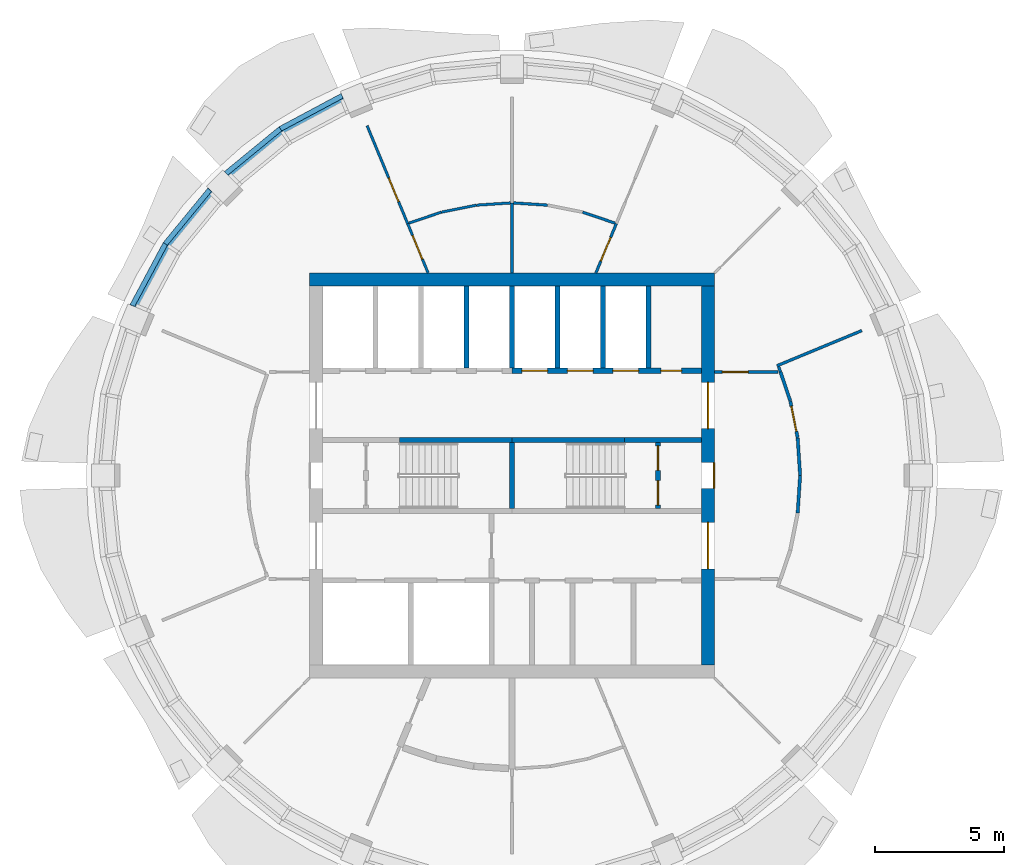
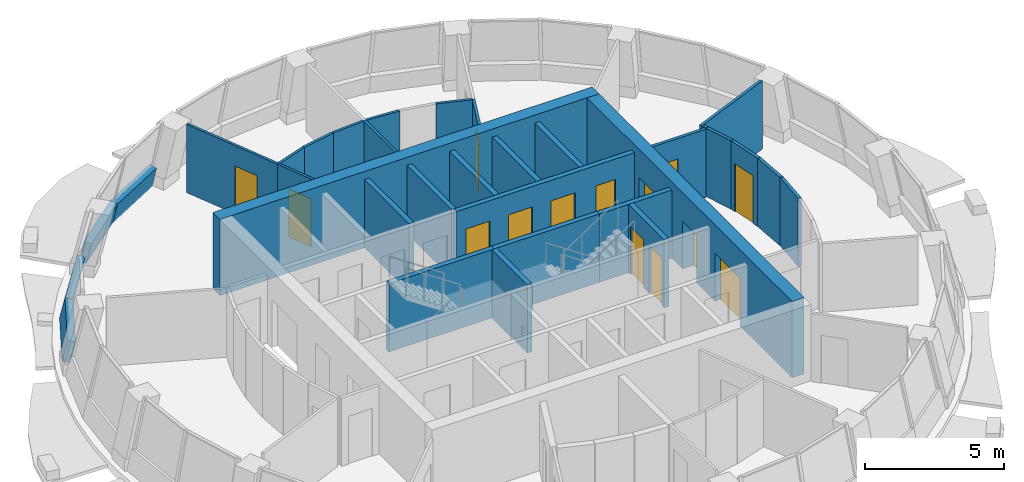
# One storey, part 6 of 11: 33 walls, 14 doors, 14 openings.
"""IFC4 building model written with IfcOpenShell, lengths in metres."""

import ifcopenshell
import ifcopenshell.guid

model = None  # the IFC model being written
_history = None  # IfcOwnerHistory: only IFC2X3 demands one
_inside = {}  # id of a spatial element -> (the spatial element, [elements in it])
_under = {}  # id of a project, library or spatial element -> (it, [spatial elements below it])
_declared = {}  # id of a project -> (the project, [libraries it declares])
_typed = {}  # id of a type object -> (the type object, [elements of that type])
_made_of = {}  # id of a material, layer set ... -> (it, [elements and type objects made of it])


def new_model(schema):
    """Start an empty IFC model of exactly this schema.

    Asked for "IFC4X3", IfcOpenShell would pick the latest addendum, in which some entities
    have other attributes; the version numbers below select the first issue.
    IFC2X3 requires an IfcOwnerHistory on every rooted entity: one is made here for all.
    """
    global model, _history
    if schema == "IFC4X3":
        model = ifcopenshell.file(schema_version=(4, 3, 0, 0))
    else:
        model = ifcopenshell.file(schema=schema)
    _inside.clear()
    _under.clear()
    _declared.clear()
    _typed.clear()
    _made_of.clear()
    _history = None
    if model.schema == "IFC2X3":
        org = make("IfcOrganization", Name="unknown")
        user = make(
            "IfcPersonAndOrganization",
            ThePerson=make("IfcPerson", FamilyName="unknown"),
            TheOrganization=org,
        )
        app = make(
            "IfcApplication",
            ApplicationDeveloper=org,
            Version="unknown",
            ApplicationFullName="unknown",
            ApplicationIdentifier="unknown",
        )
        _history = make(
            "IfcOwnerHistory",
            OwningUser=user,
            OwningApplication=app,
            ChangeAction="ADDED",
            CreationDate=0,
        )
    return model


def make(cls, **values):
    """One entity of the class cls with the attributes given. An attribute that is None is left unset."""
    return model.create_entity(
        cls, **{name: value for name, value in values.items() if value is not None}
    )


def rooted(cls, **values):
    """An entity with a GlobalId (a new one), such as an element, a storey or a relation."""
    return make(cls, GlobalId=ifcopenshell.guid.new(), OwnerHistory=_history, **values)


def si_unit(unit_type, name, prefix=None):
    """IfcSIUnit, for example si_unit("LENGTHUNIT", "METRE", prefix="MILLI")."""
    return make("IfcSIUnit", UnitType=unit_type, Prefix=prefix, Name=name)


def assignment(units):
    """IfcUnitAssignment: the units of a project."""
    return None if units is None else make("IfcUnitAssignment", Units=units)


def point(xyz):
    """IfcCartesianPoint."""
    return None if xyz is None else make("IfcCartesianPoint", Coordinates=xyz)


def direction(xyz):
    """IfcDirection."""
    return None if xyz is None else make("IfcDirection", DirectionRatios=xyz)


def frame(location, z_axis=None, x_axis=None):
    """IfcAxis2Placement3D, a coordinate frame: its origin and axes. An axis left out is left unset."""
    return make(
        "IfcAxis2Placement3D",
        Location=point(location),
        Axis=direction(z_axis),
        RefDirection=direction(x_axis),
    )


def frame_2d(location, x_axis=None):
    """IfcAxis2Placement2D, a coordinate frame in the plane: its origin and x axis."""
    return make(
        "IfcAxis2Placement2D", Location=point(location), RefDirection=direction(x_axis)
    )


def origin():
    """The frame at (0, 0, 0) with its axes left unset."""
    return frame((0.0, 0.0, 0.0))


def place(relative_to, where):
    """IfcLocalPlacement: puts the frame where relative to a parent placement (None: the world)."""
    return make(
        "IfcLocalPlacement", PlacementRelTo=relative_to, RelativePlacement=where
    )


def context(
    kind, dimensions, precision=None, world=None, true_north=None, identifier=None
):
    """IfcGeometricRepresentationContext, for example the 3D "Model" context."""
    return make(
        "IfcGeometricRepresentationContext",
        ContextIdentifier=identifier,
        ContextType=kind,
        CoordinateSpaceDimension=dimensions,
        Precision=precision,
        WorldCoordinateSystem=world,
        TrueNorth=true_north,
    )


def subcontext(parent, identifier, kind, view, scale=None):
    """IfcGeometricRepresentationSubContext, for example "Body" below "Model"."""
    return make(
        "IfcGeometricRepresentationSubContext",
        ContextIdentifier=identifier,
        ContextType=kind,
        ParentContext=parent,
        TargetScale=scale,
        TargetView=view,
    )


def project(units=None, contexts=None):
    """IfcProject with its units and contexts."""
    return rooted(
        "IfcProject",
        Name="project",
        RepresentationContexts=contexts,
        UnitsInContext=assignment(units),
    )


def spatial(cls, under=None, at=None, **own):
    """A site, building, storey or space (cls), placed at a placement, below another one or the project."""
    s = rooted(cls, ObjectPlacement=at, **own)
    if under is not None:
        _under.setdefault(under.id(), (under, []))[1].append(s)
    return s


def polyline(points):
    """IfcPolyline through the points."""
    return make("IfcPolyline", Points=[point(p) for p in points])


def profile(cls, at=None, kind="AREA", **sizes):
    """A parametric profile (cls). Its sizes go by their IFC names, for example OverallWidth=200.0."""
    return make(cls, ProfileType=kind, Position=at, **sizes)


def rectangle(**sizes):
    """IfcRectangleProfileDef."""
    return profile("IfcRectangleProfileDef", **sizes)


def outline(outer, holes=None, kind="AREA"):
    """IfcArbitraryClosedProfileDef: a profile drawn as a closed curve; with holes, ...WithVoids."""
    if holes is None:
        return make("IfcArbitraryClosedProfileDef", ProfileType=kind, OuterCurve=outer)
    return make(
        "IfcArbitraryProfileDefWithVoids",
        ProfileType=kind,
        OuterCurve=outer,
        InnerCurves=holes,
    )


def extrude(swept, where, along, depth):
    """IfcExtrudedAreaSolid: the profile swept, set in the frame where, extruded along a direction by depth."""
    return make(
        "IfcExtrudedAreaSolid",
        SweptArea=swept,
        Position=where,
        ExtrudedDirection=direction(along),
        Depth=depth,
    )


def shape(context_of_items, identifier, shape_type, items):
    """IfcShapeRepresentation: the items that make up one representation, for example the "Body"."""
    return make(
        "IfcShapeRepresentation",
        ContextOfItems=context_of_items,
        RepresentationIdentifier=identifier,
        RepresentationType=shape_type,
        Items=items,
    )


def material(Name=None, Category=None):
    """IfcMaterial."""
    return make("IfcMaterial", Name=Name, Category=Category)


def layer(
    of_material, thickness, ventilated=None, Name=None, Category=None, Priority=None
):
    """IfcMaterialLayer: one layer of a wall or slab, of a material (None: an air gap)."""
    return make(
        "IfcMaterialLayer",
        Material=of_material,
        LayerThickness=thickness,
        IsVentilated=ventilated,
        Name=Name,
        Category=Category,
        Priority=Priority,
    )


def layer_set(layers, Name=None):
    """IfcMaterialLayerSet."""
    return make("IfcMaterialLayerSet", MaterialLayers=layers, LayerSetName=Name)


def made_of(thing, what):
    """Note that an element or type object is made of a material, layer set ...; save() writes the relation."""
    if what is not None:
        _made_of.setdefault(what.id(), (what, []))[1].append(thing)
    return thing


def type_object(cls, material=None, **own):
    """A type object (cls), such as IfcWallType, which elements share."""
    return made_of(rooted(cls, **own), material)


def element(
    cls,
    number,
    at=None,
    inside=None,
    cuts=None,
    type_object=None,
    material=None,
    context=None,
    identifier="Body",
    shape_type=None,
    held_by="IfcProductDefinitionShape",
    body=None,
    shapes=None,
    **own,
):
    """One element of the class cls, such as IfcWall. Its Tag is "e" and its number.

    at: its placement. inside: the storey or other place that contains it. cuts: it is an
    opening in that element (IfcRelVoidsElement). A single representation is given by context,
    identifier, shape_type and body (its items); several are given by shapes. held_by: the class
    of the entity that holds the representations. save() writes the other relations.
    """
    e = rooted(cls, Tag="e%d" % number, ObjectPlacement=at, **own)
    if body is not None:
        shapes = [shape(context, identifier, shape_type, body)]
    if shapes is not None:
        e.Representation = make(held_by, Representations=shapes)
    if inside is not None:
        _inside.setdefault(inside.id(), (inside, []))[1].append(e)
    if cuts is not None:
        rooted(
            "IfcRelVoidsElement", RelatingBuildingElement=cuts, RelatedOpeningElement=e
        )
    if type_object is not None:
        _typed.setdefault(type_object.id(), (type_object, []))[1].append(e)
    return made_of(e, material)


def fill(opening, filler):
    """IfcRelFillsElement: the door or window that sits in an opening."""
    return rooted(
        "IfcRelFillsElement",
        RelatingOpeningElement=opening,
        RelatedBuildingElement=filler,
    )


def aggregate(whole, parts):
    """IfcRelAggregates: a whole, such as a stair, and the parts it consists of."""
    return rooted("IfcRelAggregates", RelatingObject=whole, RelatedObjects=parts)


def save(model, path):
    """Write the relations noted so far, then the file.

    IfcRelAggregates (storeys below a building ...), IfcRelContainedInSpatialStructure (elements
    in a storey), IfcRelDefinesByType, IfcRelAssociatesMaterial and IfcRelDeclares: one each for
    every whole, place, type object, material and project.
    """
    for whole, parts in _under.values():
        aggregate(whole, parts)
    for where, things in _inside.values():
        rooted(
            "IfcRelContainedInSpatialStructure",
            RelatedElements=things,
            RelatingStructure=where,
        )
    for kind, things in _typed.values():
        rooted("IfcRelDefinesByType", RelatedObjects=things, RelatingType=kind)
    for what, things in _made_of.values():
        rooted("IfcRelAssociatesMaterial", RelatedObjects=things, RelatingMaterial=what)
    for by, libraries in _declared.values():
        rooted("IfcRelDeclares", RelatingContext=by, RelatedDefinitions=libraries)
    model.write(path)


model = new_model("IFC4")

# Units and contexts
model_context = context("Model", 3, precision=1e-05, world=origin(), true_north=direction((0.0, 1.0)))
body_context = subcontext(model_context, "Body", "Model", "MODEL_VIEW")
ifc_project = project(units=[si_unit("LENGTHUNIT", "METRE"), si_unit("AREAUNIT", "SQUARE_METRE"), si_unit("VOLUMEUNIT", "CUBIC_METRE"), si_unit("PLANEANGLEUNIT", "RADIAN"), si_unit("MASSUNIT", "GRAM", prefix="KILO")], contexts=[model_context])

# Site, building, storey
site_placement = place(None, origin())
site = spatial("IfcSite", under=ifc_project, at=site_placement, CompositionType="ELEMENT")
building_placement = place(site_placement, origin())
building = spatial("IfcBuilding", under=site, at=building_placement, Name="Polderwave Tower", CompositionType="ELEMENT")
storey_placement = place(building_placement, frame((0.0, 0.0, 214.449951171875)))
storey = spatial("IfcBuildingStorey", under=building, at=storey_placement, Name="L58", CompositionType="ELEMENT", Elevation=214.449951171875)

# Wall
ifc_material_1 = material(Name="Concrete C60/75", Category="concrete")
ifc_layer_1 = layer(ifc_material_1, 0.5)
ifc_layer_set_1 = layer_set([ifc_layer_1], Name="CORE WALL 500 C60/75")
wall_type_1 = type_object("IfcWallType", Name="CORE WALL 500 C60/75", PredefinedType="SHEAR", material=ifc_layer_set_1)
wall_1_placement = place(storey_placement, frame((-7.8740234375, 7.6240234375, 0.0), z_axis=(0.0, 0.0, 1.0), x_axis=(1.0, 0.0, 0.0)))
element("IfcWall", 1, at=wall_1_placement, inside=storey, type_object=wall_type_1, Name="ST-CORE-L58-N", PredefinedType="SHEAR", context=body_context, shape_type="SweptSolid", body=[
    extrude(rectangle(XDim=15.748046875, YDim=0.5, at=frame_2d((7.8740234375, 0.0))), origin(), (0.0, 0.0, 1.0), 3.35009765625),
])

# Wall, openings, doors
wall_2_placement = place(storey_placement, frame((7.6240234375, -7.3740234375, 0.0), z_axis=(0.0, 0.0, 1.0), x_axis=(0.0, 1.0, 0.0)))
wall_2 = element("IfcWall", 2, at=wall_2_placement, inside=storey, type_object=wall_type_1, Name="ST-CORE-L58-E", PredefinedType="SHEAR", context=body_context, shape_type="SweptSolid", body=[
    extrude(rectangle(XDim=14.748046875, YDim=0.5, at=frame_2d((7.3740234375, 0.0))), origin(), (0.0, 0.0, 1.0), 3.35009765625),
])
opening_1_placement = place(wall_2_placement, frame((6.8740234375, 0.0, 0.0)))
opening_1 = element("IfcOpeningElement", 3, at=opening_1_placement, cuts=wall_2, Name="Opening L58-D23", PredefinedType="OPENING", context=body_context, shape_type="SweptSolid", body=[
    extrude(rectangle(XDim=1.0, YDim=2.10009765625, at=frame_2d((0.5, 1.050048828125))), frame((0.0, 0.260009765625, 0.0), z_axis=(0.0, -1.0, 0.0), x_axis=(1.0, 0.0, 0.0)), (0.0, 0.0, 1.0), 0.52001953125),
])
opening_2_placement = place(wall_2_placement, frame((3.74951171875, 0.0, 0.0)))
opening_2 = element("IfcOpeningElement", 4, at=opening_2_placement, cuts=wall_2, Name="Opening L58-D24", PredefinedType="OPENING", context=body_context, shape_type="SweptSolid", body=[
    extrude(rectangle(XDim=1.800048828125, YDim=2.10009765625, at=frame_2d((0.89990234375, 1.050048828125))), frame((0.0, 0.260009765625, 0.0), z_axis=(0.0, -1.0, 0.0), x_axis=(1.0, 0.0, 0.0)), (0.0, 0.0, 1.0), 0.52001953125),
])
opening_3_placement = place(wall_2_placement, frame((9.198486328125, 0.0, 0.0)))
opening_3 = element("IfcOpeningElement", 5, at=opening_3_placement, cuts=wall_2, Name="Opening L58-D25", PredefinedType="OPENING", context=body_context, shape_type="SweptSolid", body=[
    extrude(rectangle(XDim=1.800048828125, YDim=2.10009765625, at=frame_2d((0.89990234375, 1.050048828125))), frame((0.0, 0.260009765625, 0.0), z_axis=(0.0, -1.0, 0.0), x_axis=(1.0, 0.0, 0.0)), (0.0, 0.0, 1.0), 0.52001953125),
])
ifc_material_2 = material(Name="Steel fire door", Category="steel")
door_type_1 = type_object("IfcDoorType", Name="Lobby entry door pair 1800", OperationType="DOUBLE_DOOR_SINGLE_SWING", PredefinedType="DOOR", material=ifc_material_2)
door_1_placement = place(opening_2_placement, frame((1.800048828125, 0.0, 0.0), z_axis=(0.0, 0.0, 1.0), x_axis=(-1.0, 0.0, 0.0)))
door_1 = element("IfcDoor", 6, at=door_1_placement, inside=storey, type_object=door_type_1, Name="South lobby entry door", OperationType="DOUBLE_DOOR_SINGLE_SWING", OverallHeight=2.10009765625, OverallWidth=1.800048828125, PredefinedType="DOOR", context=body_context, shape_type="SweptSolid", body=[
    extrude(rectangle(XDim=1.800048828125, YDim=2.10009765625, at=frame_2d((0.89990234375, 1.050048828125))), frame((0.0, 0.02490234375, 0.0), z_axis=(0.0, -1.0, 0.0), x_axis=(1.0, 0.0, 0.0)), (0.0, 0.0, 1.0), 0.050048828125),
])
fill(opening_2, door_1)
door_2_placement = place(opening_3_placement, frame((1.800048828125, 0.0, 0.0), z_axis=(0.0, 0.0, 1.0), x_axis=(-1.0, 0.0, 0.0)))
door_2 = element("IfcDoor", 7, at=door_2_placement, inside=storey, type_object=door_type_1, Name="North lobby entry door", OperationType="DOUBLE_DOOR_SINGLE_SWING", OverallHeight=2.10009765625, OverallWidth=1.800048828125, PredefinedType="DOOR", context=body_context, shape_type="SweptSolid", body=[
    extrude(rectangle(XDim=1.800048828125, YDim=2.10009765625, at=frame_2d((0.89990234375, 1.050048828125))), frame((0.0, 0.02490234375, 0.0), z_axis=(0.0, -1.0, 0.0), x_axis=(1.0, 0.0, 0.0)), (0.0, 0.0, 1.0), 0.050048828125),
])
fill(opening_3, door_2)
door_type_2 = type_object("IfcDoorType", Name="Stair door 1000", OperationType="NOTDEFINED", PredefinedType="DOOR", material=ifc_material_2)
door_3_placement = place(opening_1_placement, frame((1.0, 0.0, 0.0), z_axis=(0.0, 0.0, 1.0), x_axis=(-1.0, 0.0, 0.0)))
door_3 = element("IfcDoor", 8, at=door_3_placement, inside=storey, type_object=door_type_2, Name="Stair B entry door", OperationType="SINGLE_SWING_LEFT", OverallHeight=2.10009765625, OverallWidth=1.0, PredefinedType="DOOR", context=body_context, shape_type="SweptSolid", body=[
    extrude(rectangle(XDim=1.0, YDim=2.10009765625, at=frame_2d((0.5, 1.050048828125))), frame((0.0, 0.25, 0.0), z_axis=(0.0, -1.0, 0.0), x_axis=(1.0, 0.0, 0.0)), (0.0, 0.0, 1.0), 0.050048828125),
])
fill(opening_1, door_3)

# Walls
ifc_material_3 = material(Name="Concrete C50/60 (board-marked)", Category="concrete")
ifc_layer_2 = layer(ifc_material_3, 0.300048828125)
ifc_layer_set_2 = layer_set([ifc_layer_2], Name="Concrete spandrel upstand C50/60")
wall_type_2 = type_object("IfcWallType", Name="Concrete spandrel upstand C50/60", PredefinedType="SOLIDWALL", material=ifc_layer_set_2)
wall_3_placement = place(storey_placement, frame((-6.640869140625, 14.850341796875, 0.0), z_axis=(-0.460882647705, 0.861652072417, 0.212468565072), x_axis=(-0.881784978275, -0.471651621526, 9.49098e-07)))
element("IfcWall", 9, at=wall_3_placement, inside=storey, type_object=wall_type_2, Name="Spandrel L58 6a", PredefinedType="SOLIDWALL", context=body_context, shape_type="SweptSolid", body=[
    extrude(outline(polyline([(0.0, 0.0), (2.7418591989936596, 2.7755575615628914e-17), (2.7227801463709156, 0.9211762873854703), (0.019696281501502436, 0.9211815759173496), (0.0, 0.0)])), origin(), (0.0, 0.0, -1.0), 0.300048828125),
])
wall_4_placement = place(storey_placement, frame((-9.05859375, 13.55712890625, 0.0), z_axis=(-0.619786234014, 0.755471298397, 0.212433851881), x_axis=(-0.77311744184, -0.634262895906, -6.31883e-07)))
element("IfcWall", 10, at=wall_4_placement, inside=storey, type_object=wall_type_2, Name="Spandrel L58 6b", PredefinedType="SOLIDWALL", context=body_context, shape_type="SweptSolid", body=[
    extrude(outline(polyline([(0.0, 0.0), (2.741026727762195, 5.551115123125783e-17), (2.721891888042317, 0.9211735773781955), (0.019377518066993598, 0.9211700573549708), (0.0, 0.0)])), origin(), (0.0, 0.0, -1.0), 0.300048828125),
])
wall_5_placement = place(storey_placement, frame((-11.818603515625, 11.177734375, 0.0), z_axis=(-0.755475436425, 0.619753676079, 0.21251410764), x_axis=(-0.6342418971, -0.773134668693, -5.274869e-06)))
element("IfcWall", 11, at=wall_5_placement, inside=storey, type_object=wall_type_2, Name="Spandrel L58 7a", PredefinedType="SOLIDWALL", context=body_context, shape_type="SweptSolid", body=[
    extrude(outline(polyline([(0.0, 0.0), (2.741026726929954, 0.0), (2.7218379603471505, 0.9212029611358797), (0.01913483806120599, 0.9211735749362499), (0.0, 0.0)])), origin(), (0.0, 0.0, -1.0), 0.300048828125),
])
wall_6_placement = place(storey_placement, frame((-13.55712890625, 9.05859375, 0.0), z_axis=(-0.861652072417, 0.460882647705, 0.212468565072), x_axis=(-0.471651621526, -0.881784978275, -9.49098e-07)))
element("IfcWall", 12, at=wall_6_placement, inside=storey, type_object=wall_type_2, Name="Spandrel L58 7b", PredefinedType="SOLIDWALL", context=body_context, shape_type="SweptSolid", body=[
    extrude(outline(polyline([(0.0, 0.0), (2.7418591989936596, -2.7755575615628914e-17), (2.7221629174921573, 0.9211815759173496), (0.019079052622744255, 0.9211762873854703), (0.0, 0.0)])), origin(), (0.0, 0.0, -1.0), 0.300048828125),
])

# Wall, openings, doors
ifc_material_4 = material(Name="Gypsum board partition")
ifc_layer_3 = layer(ifc_material_4, 0.199951171875)
ifc_layer_set_3 = layer_set([ifc_layer_3], Name="Core room partition 200")
wall_type_3 = type_object("IfcWallType", Name="Core room partition 200", PredefinedType="PARTITIONING", material=ifc_layer_set_3)
wall_7_placement = place(storey_placement, frame((5.674072265625, -1.27490234375, 0.0), z_axis=(0.0, 0.0, 1.0), x_axis=(0.0, 1.0, 0.0)))
wall_7 = element("IfcWall", 13, at=wall_7_placement, inside=storey, type_object=wall_type_3, Name="L58 smoke lobby wall B", PredefinedType="PARTITIONING", context=body_context, shape_type="SweptSolid", body=[
    extrude(rectangle(XDim=2.5498046875, YDim=0.199951171875, at=frame_2d((1.27490234375, 0.0))), origin(), (0.0, 0.0, 1.0), 3.0),
])
opening_4_placement = place(wall_7_placement, frame((0.125, 0.0, 0.0)))
opening_4 = element("IfcOpeningElement", 14, at=opening_4_placement, cuts=wall_7, Name="Opening L58-D12", PredefinedType="OPENING", context=body_context, shape_type="SweptSolid", body=[
    extrude(rectangle(XDim=0.949951171875, YDim=2.10009765625, at=frame_2d((0.47509765625, 1.050048828125))), frame((0.0, 0.10986328125, 0.0), z_axis=(0.0, -1.0, 0.0), x_axis=(1.0, 0.0, 0.0)), (0.0, 0.0, 1.0), 0.219970703125),
])
opening_5_placement = place(wall_7_placement, frame((1.47509765625, 0.0, 0.0)))
opening_5 = element("IfcOpeningElement", 15, at=opening_5_placement, cuts=wall_7, Name="Opening L58-D13", PredefinedType="OPENING", context=body_context, shape_type="SweptSolid", body=[
    extrude(rectangle(XDim=0.949951171875, YDim=2.10009765625, at=frame_2d((0.47509765625, 1.050048828125))), frame((0.0, 0.10986328125, 0.0), z_axis=(0.0, -1.0, 0.0), x_axis=(1.0, 0.0, 0.0)), (0.0, 0.0, 1.0), 0.219970703125),
])
door_type_3 = type_object("IfcDoorType", Name="Smoke lobby door 950", OperationType="NOTDEFINED", PredefinedType="DOOR", material=ifc_material_2)
door_4_placement = place(opening_4_placement, frame((0.949951171875, 0.0, 0.0), z_axis=(0.0, 0.0, 1.0), x_axis=(-1.0, 0.0, 0.0)))
door_4 = element("IfcDoor", 16, at=door_4_placement, inside=storey, type_object=door_type_3, Name="Stair B smoke lobby inner door", OperationType="SINGLE_SWING_RIGHT", OverallHeight=2.10009765625, OverallWidth=0.949951171875, PredefinedType="DOOR", context=body_context, shape_type="SweptSolid", body=[
    extrude(rectangle(XDim=0.949951171875, YDim=2.10009765625, at=frame_2d((0.47509765625, 1.050048828125))), frame((0.0, 0.02490234375, 0.0), z_axis=(0.0, -1.0, 0.0), x_axis=(1.0, 0.0, 0.0)), (0.0, 0.0, 1.0), 0.050048828125),
])
fill(opening_4, door_4)
door_5_placement = place(opening_5_placement, frame((0.949951171875, 0.0, 0.0), z_axis=(0.0, 0.0, 1.0), x_axis=(-1.0, 0.0, 0.0)))
door_5 = element("IfcDoor", 17, at=door_5_placement, inside=storey, type_object=door_type_3, Name="Stair B smoke lobby inner door", OperationType="SINGLE_SWING_LEFT", OverallHeight=2.10009765625, OverallWidth=0.949951171875, PredefinedType="DOOR", context=body_context, shape_type="SweptSolid", body=[
    extrude(rectangle(XDim=0.949951171875, YDim=2.10009765625, at=frame_2d((0.47509765625, 1.050048828125))), frame((0.0, 0.02490234375, 0.0), z_axis=(0.0, -1.0, 0.0), x_axis=(1.0, 0.0, 0.0)), (0.0, 0.0, 1.0), 0.050048828125),
])
fill(opening_5, door_5)

ifc_material_5 = material(Name="Concrete C50/60", Category="concrete")
ifc_layer_4 = layer(ifc_material_5, 0.199951171875)
ifc_layer_set_4 = layer_set([ifc_layer_4], Name="Core web wall 200")
wall_type_4 = type_object("IfcWallType", Name="Core web wall 200", PredefinedType="SHEAR", material=ifc_layer_set_4)
wall_8_placement = place(storey_placement, frame((0.0, 4.073974609375, 0.0), z_axis=(0.0, 0.0, 1.0), x_axis=(1.0, 0.0, 0.0)))
wall_8 = element("IfcWall", 18, at=wall_8_placement, inside=storey, type_object=wall_type_4, Name="L58 north front wall 2", PredefinedType="SHEAR", context=body_context, shape_type="SweptSolid", body=[
    extrude(rectangle(XDim=7.3740234375, YDim=0.199951171875, at=frame_2d((3.68701171875, 0.0))), origin(), (0.0, 0.0, 1.0), 3.0),
])
opening_6_placement = place(wall_8_placement, frame((0.38427734375, 0.0, 0.0)))
opening_6 = element("IfcOpeningElement", 19, at=opening_6_placement, cuts=wall_8, Name="Opening L58-D07", PredefinedType="OPENING", context=body_context, shape_type="SweptSolid", body=[
    extrude(rectangle(XDim=1.0, YDim=2.10009765625, at=frame_2d((0.5, 1.050048828125))), frame((0.0, 0.10986328125, 0.0), z_axis=(0.0, -1.0, 0.0), x_axis=(1.0, 0.0, 0.0)), (0.0, 0.0, 1.0), 0.219970703125),
])
opening_7_placement = place(wall_8_placement, frame((2.15283203125, 0.0, 0.0)))
opening_7 = element("IfcOpeningElement", 20, at=opening_7_placement, cuts=wall_8, Name="Opening L58-D08", PredefinedType="OPENING", context=body_context, shape_type="SweptSolid", body=[
    extrude(rectangle(XDim=1.0, YDim=2.10009765625, at=frame_2d((0.5, 1.050048828125))), frame((0.0, 0.10986328125, 0.0), z_axis=(0.0, -1.0, 0.0), x_axis=(1.0, 0.0, 0.0)), (0.0, 0.0, 1.0), 0.219970703125),
])
opening_8_placement = place(wall_8_placement, frame((3.921142578125, 0.0, 0.0)))
opening_8 = element("IfcOpeningElement", 21, at=opening_8_placement, cuts=wall_8, Name="Opening L58-D09", PredefinedType="OPENING", context=body_context, shape_type="SweptSolid", body=[
    extrude(rectangle(XDim=1.0, YDim=2.10009765625, at=frame_2d((0.5, 1.050048828125))), frame((0.0, 0.10986328125, 0.0), z_axis=(0.0, -1.0, 0.0), x_axis=(1.0, 0.0, 0.0)), (0.0, 0.0, 1.0), 0.219970703125),
])
opening_9_placement = place(wall_8_placement, frame((5.789794921875, 0.0, 0.0)))
opening_9 = element("IfcOpeningElement", 22, at=opening_9_placement, cuts=wall_8, Name="Opening L58-D19", PredefinedType="OPENING", context=body_context, shape_type="SweptSolid", body=[
    extrude(rectangle(XDim=0.800048828125, YDim=2.10009765625, at=frame_2d((0.39990234375, 1.050048828125))), frame((0.0, 0.10986328125, 0.0), z_axis=(0.0, -1.0, 0.0), x_axis=(1.0, 0.0, 0.0)), (0.0, 0.0, 1.0), 0.219970703125),
])
ifc_material_6 = material(Name="Stainless steel", Category="steel")
door_type_4 = type_object("IfcDoorType", Name="Lift landing door 1000", OperationType="DOUBLE_DOOR_SLIDING", PredefinedType="DOOR", material=ifc_material_6)
door_6_placement = place(opening_6_placement, frame((1.0, 0.0, 0.0), z_axis=(0.0, 0.0, 1.0), x_axis=(-1.0, 0.0, 0.0)))
door_6 = element("IfcDoor", 23, at=door_6_placement, inside=storey, type_object=door_type_4, Name="Lift HL5 landing door", OperationType="DOUBLE_DOOR_SLIDING", OverallHeight=2.10009765625, OverallWidth=1.0, PredefinedType="DOOR", context=body_context, shape_type="SweptSolid", body=[
    extrude(rectangle(XDim=1.0, YDim=2.10009765625, at=frame_2d((0.5, 1.050048828125))), frame((0.0, 0.02490234375, 0.0), z_axis=(0.0, -1.0, 0.0), x_axis=(1.0, 0.0, 0.0)), (0.0, 0.0, 1.0), 0.050048828125),
])
fill(opening_6, door_6)
door_7_placement = place(opening_7_placement, frame((1.0, 0.0, 0.0), z_axis=(0.0, 0.0, 1.0), x_axis=(-1.0, 0.0, 0.0)))
door_7 = element("IfcDoor", 24, at=door_7_placement, inside=storey, type_object=door_type_4, Name="Lift HL6 landing door", OperationType="DOUBLE_DOOR_SLIDING", OverallHeight=2.10009765625, OverallWidth=1.0, PredefinedType="DOOR", context=body_context, shape_type="SweptSolid", body=[
    extrude(rectangle(XDim=1.0, YDim=2.10009765625, at=frame_2d((0.5, 1.050048828125))), frame((0.0, 0.02490234375, 0.0), z_axis=(0.0, -1.0, 0.0), x_axis=(1.0, 0.0, 0.0)), (0.0, 0.0, 1.0), 0.050048828125),
])
fill(opening_7, door_7)
door_8_placement = place(opening_8_placement, frame((1.0, 0.0, 0.0), z_axis=(0.0, 0.0, 1.0), x_axis=(-1.0, 0.0, 0.0)))
door_8 = element("IfcDoor", 25, at=door_8_placement, inside=storey, type_object=door_type_4, Name="Lift HL7 landing door", OperationType="DOUBLE_DOOR_SLIDING", OverallHeight=2.10009765625, OverallWidth=1.0, PredefinedType="DOOR", context=body_context, shape_type="SweptSolid", body=[
    extrude(rectangle(XDim=1.0, YDim=2.10009765625, at=frame_2d((0.5, 1.050048828125))), frame((0.0, 0.02490234375, 0.0), z_axis=(0.0, -1.0, 0.0), x_axis=(1.0, 0.0, 0.0)), (0.0, 0.0, 1.0), 0.050048828125),
])
fill(opening_8, door_8)
door_type_5 = type_object("IfcDoorType", Name="Riser door 800", OperationType="NOTDEFINED", PredefinedType="DOOR", material=ifc_material_2)
door_9_placement = place(opening_9_placement, frame((0.800048828125, 0.0, 0.0), z_axis=(0.0, 0.0, 1.0), x_axis=(-1.0, 0.0, 0.0)))
door_9 = element("IfcDoor", 26, at=door_9_placement, inside=storey, type_object=door_type_5, Name="Riser door", OperationType="SINGLE_SWING_LEFT", OverallHeight=2.10009765625, OverallWidth=0.800048828125, PredefinedType="DOOR", context=body_context, shape_type="SweptSolid", body=[
    extrude(rectangle(XDim=0.800048828125, YDim=2.10009765625, at=frame_2d((0.39990234375, 1.050048828125))), frame((0.0, 0.02490234375, 0.0), z_axis=(0.0, -1.0, 0.0), x_axis=(1.0, 0.0, 0.0)), (0.0, 0.0, 1.0), 0.050048828125),
])
fill(opening_9, door_9)

# Walls
for number, where, z_axis, x_axis, name in (
    (27, (-4.3740234375, 1.375, 0.0), (0.0, 0.0, 1.0), (1.0, 0.0, 0.0), "L58 north stair wall 2"),
    (28, (0.0, 1.375, 0.0), (0.0, 0.0, 1.0), (1.0, 0.0, 0.0), "L58 north stair wall 3"),
):
    element("IfcWall", number, at=place(storey_placement, frame(where, z_axis=z_axis, x_axis=x_axis)), inside=storey, type_object=wall_type_4, Name=name, PredefinedType="SHEAR", context=body_context, shape_type="SweptSolid", body=[
        extrude(rectangle(XDim=4.3740234375, YDim=0.199951171875, at=frame_2d((2.18701171875, 0.0))), origin(), (0.0, 0.0, 1.0), 3.0),
    ])
wall_9_placement = place(storey_placement, frame((4.3740234375, 1.375, 0.0), z_axis=(0.0, 0.0, 1.0), x_axis=(1.0, 0.0, 0.0)))
element("IfcWall", 29, at=wall_9_placement, inside=storey, type_object=wall_type_4, Name="L58 north stair wall 4", PredefinedType="SHEAR", context=body_context, shape_type="SweptSolid", body=[
    extrude(rectangle(XDim=3.0, YDim=0.199951171875, at=frame_2d((1.5, 0.0))), origin(), (0.0, 0.0, 1.0), 3.0),
])
wall_10_placement = place(storey_placement, frame((0.0, -1.27490234375, 0.0), z_axis=(0.0, 0.0, 1.0), x_axis=(0.0, 1.0, 0.0)))
element("IfcWall", 30, at=wall_10_placement, inside=storey, type_object=wall_type_4, Name="L58 wall between the stairs", PredefinedType="SHEAR", context=body_context, shape_type="SweptSolid", body=[
    extrude(rectangle(XDim=2.5498046875, YDim=0.199951171875, at=frame_2d((1.27490234375, 0.0))), origin(), (0.0, 0.0, 1.0), 3.0),
])
ifc_material_7 = material(Name="Fire-resisting board on steel studs", Category="steel")
ifc_layer_5 = layer(ifc_material_7, 0.125)
ifc_layer_set_5 = layer_set([ifc_layer_5], Name="Corridor wall 125 mm EI 60")
wall_type_5 = type_object("IfcWallType", Name="Corridor wall 125 mm EI 60", PredefinedType="PARTITIONING", material=ifc_layer_set_5)
wall_11_placement = place(storey_placement, frame((10.436279296875, 4.0244140625, 0.0), z_axis=(0.0, 0.0, 1.0), x_axis=(0.321477840896, -0.94691710187, 0.0)))
element("IfcWall", 31, at=wall_11_placement, inside=storey, type_object=wall_type_5, Name="IN-L58-W001", PredefinedType="PARTITIONING", context=body_context, shape_type="SweptSolid", body=[
    extrude(rectangle(XDim=1.184814453125, YDim=0.125, at=frame_2d((0.59228515625, 0.0))), origin(), (0.0, 0.0, 1.0), 3.0),
])

# Wall, opening, door
wall_12_placement = place(storey_placement, frame((10.819091796875, 2.894775390625, 0.0), z_axis=(0.0, 0.0, 1.0), x_axis=(0.19521377649, -0.980760715704, 0.0)))
wall_12 = element("IfcWall", 32, at=wall_12_placement, inside=storey, type_object=wall_type_5, Name="IN-L58-W003", PredefinedType="PARTITIONING", context=body_context, shape_type="SweptSolid", body=[
    extrude(rectangle(XDim=1.45703125, YDim=0.125, at=frame_2d((0.728515625, 0.0))), origin(), (0.0, 0.0, 1.0), 3.0),
])
opening_10_placement = place(wall_12_placement, frame((0.199951171875, 0.0, 0.0)))
opening_10 = element("IfcOpeningElement", 33, at=opening_10_placement, cuts=wall_12, Name="Opening L58-D50", PredefinedType="OPENING", context=body_context, shape_type="SweptSolid", body=[
    extrude(rectangle(XDim=1.0, YDim=2.10009765625, at=frame_2d((0.5, 1.050048828125))), frame((0.0, 0.072509765625, 0.0), z_axis=(0.0, -1.0, 0.0), x_axis=(1.0, 0.0, 0.0)), (0.0, 0.0, 1.0), 0.14501953125),
])
ifc_material_8 = material(Name="Timber fire door leaf", Category="wood")
door_type_6 = type_object("IfcDoorType", Name="Fire door FD30S 1000 x 2100", OperationType="NOTDEFINED", PredefinedType="DOOR", material=ifc_material_8)
door_10_placement = place(opening_10_placement, origin())
door_10 = element("IfcDoor", 34, at=door_10_placement, inside=storey, type_object=door_type_6, Name="Door L58-D50", OperationType="SINGLE_SWING_LEFT", OverallHeight=2.10009765625, OverallWidth=1.0, PredefinedType="DOOR", context=body_context, shape_type="SweptSolid", body=[
    extrude(rectangle(XDim=1.0, YDim=2.10009765625, at=frame_2d((0.5, 1.050048828125))), frame((0.0, 0.02490234375, 0.0), z_axis=(0.0, -1.0, 0.0), x_axis=(1.0, 0.0, 0.0)), (0.0, 0.0, 1.0), 0.050048828125),
])
fill(opening_10, door_10)

# Walls
for number, where, z_axis, x_axis, name in (
    (35, (11.1044921875, 1.457763671875, 0.0), (0.0, 0.0, 1.0), (0.065362114235, -0.997861610657, 0.0), "IN-L58-W005"),
    (36, (11.19970703125, -0.004150390625, 0.0), (0.0, 0.0, 1.0), (-0.065362114235, -0.997861610657, 0.0), "IN-L58-W006"),
):
    element("IfcWall", number, at=place(storey_placement, frame(where, z_axis=z_axis, x_axis=x_axis)), inside=storey, type_object=wall_type_5, Name=name, PredefinedType="PARTITIONING", context=body_context, shape_type="SweptSolid", body=[
        extrude(rectangle(XDim=1.456787109375, YDim=0.125, at=frame_2d((0.728515625, 0.0))), origin(), (0.0, 0.0, 1.0), 3.0),
    ])

# Wall, opening, door
wall_13_placement = place(storey_placement, frame((7.8740234375, 4.0244140625, 0.0), z_axis=(0.0, 0.0, 1.0), x_axis=(1.0, 0.0, 0.0)))
wall_13 = element("IfcWall", 37, at=wall_13_placement, inside=storey, type_object=wall_type_5, Name="IN-L58-W007", PredefinedType="PARTITIONING", context=body_context, shape_type="SweptSolid", body=[
    extrude(rectangle(XDim=2.47509765625, YDim=0.125, at=frame_2d((1.237548828125, 0.0))), origin(), (0.0, 0.0, 1.0), 3.0),
])
opening_11_placement = place(wall_13_placement, frame((0.300048828125, 0.0, 0.0)))
opening_11 = element("IfcOpeningElement", 38, at=opening_11_placement, cuts=wall_13, Name="Opening L58-D51", PredefinedType="OPENING", context=body_context, shape_type="SweptSolid", body=[
    extrude(rectangle(XDim=1.0, YDim=2.10009765625, at=frame_2d((0.5, 1.050048828125))), frame((0.0, 0.072509765625, 0.0), z_axis=(0.0, -1.0, 0.0), x_axis=(1.0, 0.0, 0.0)), (0.0, 0.0, 1.0), 0.14501953125),
])
door_11_placement = place(opening_11_placement, origin())
door_11 = element("IfcDoor", 39, at=door_11_placement, inside=storey, type_object=door_type_6, Name="Door L58-D51", OperationType="SINGLE_SWING_LEFT", OverallHeight=2.10009765625, OverallWidth=1.0, PredefinedType="DOOR", context=body_context, shape_type="SweptSolid", body=[
    extrude(rectangle(XDim=1.0, YDim=2.10009765625, at=frame_2d((0.5, 1.050048828125))), frame((0.0, 0.02490234375, 0.0), z_axis=(0.0, -1.0, 0.0), x_axis=(1.0, 0.0, 0.0)), (0.0, 0.0, 1.0), 0.050048828125),
])
fill(opening_11, door_11)

# Walls
ifc_material_9 = material(Name="Plasterboard on steel studs", Category="steel")
ifc_layer_6 = layer(ifc_material_9, 0.10009765625)
ifc_layer_set_6 = layer_set([ifc_layer_6], Name="Partition 100 mm plasterboard on steel studs")
wall_type_6 = type_object("IfcWallType", Name="Partition 100 mm plasterboard on steel studs", PredefinedType="PARTITIONING", material=ifc_layer_set_6)
wall_14_placement = place(storey_placement, frame((-4.005859375, 9.810302734375, 0.0), z_axis=(0.0, 0.0, 1.0), x_axis=(0.946924824585, 0.321455092642, 0.0)))
element("IfcWall", 40, at=wall_14_placement, inside=storey, type_object=wall_type_6, Name="IN-L58-W029", PredefinedType="PARTITIONING", context=body_context, shape_type="SweptSolid", body=[
    extrude(rectangle(XDim=1.329833984375, YDim=0.10009765625, at=frame_2d((0.6650390625, 0.0))), origin(), (0.0, 0.0, 1.0), 3.0),
])
wall_15_placement = place(storey_placement, frame((-2.740234375, 10.239501953125, 0.0), z_axis=(0.0, 0.0, 1.0), x_axis=(0.980777499731, 0.195129434019, 0.0)))
element("IfcWall", 41, at=wall_15_placement, inside=storey, type_object=wall_type_6, Name="IN-L58-W030", PredefinedType="PARTITIONING", context=body_context, shape_type="SweptSolid", body=[
    extrude(rectangle(XDim=1.380126953125, YDim=0.10009765625, at=frame_2d((0.68994140625, 0.0))), origin(), (0.0, 0.0, 1.0), 3.0),
])
wall_16_placement = place(storey_placement, frame((-1.38037109375, 10.509521484375, 0.0), z_axis=(0.0, 0.0, 1.0), x_axis=(0.997857935165, 0.065418202582, 0.0)))
element("IfcWall", 42, at=wall_16_placement, inside=storey, type_object=wall_type_6, Name="IN-L58-W031", PredefinedType="PARTITIONING", context=body_context, shape_type="SweptSolid", body=[
    extrude(rectangle(XDim=1.324951171875, YDim=0.10009765625, at=frame_2d((0.66259765625, 0.0))), origin(), (0.0, 0.0, 1.0), 3.0),
])

# Wall, opening, door
wall_17_placement = place(storey_placement, frame((-4.056396484375, 9.793212890625, 0.0), z_axis=(0.0, 0.0, 1.0), x_axis=(0.382670108955, -0.923885051136, 0.0)))
wall_17 = element("IfcWall", 43, at=wall_17_placement, inside=storey, type_object=wall_type_6, Name="IN-L58-W032", PredefinedType="PARTITIONING", context=body_context, shape_type="SweptSolid", body=[
    extrude(rectangle(XDim=2.077392578125, YDim=0.10009765625, at=frame_2d((1.03857421875, 0.0))), origin(), (0.0, 0.0, 1.0), 3.0),
])
opening_12_placement = place(wall_17_placement, frame((0.5, 0.0, 0.0)))
opening_12 = element("IfcOpeningElement", 44, at=opening_12_placement, cuts=wall_17, Name="Opening L58-D59", PredefinedType="OPENING", context=body_context, shape_type="SweptSolid", body=[
    extrude(rectangle(XDim=1.0, YDim=2.10009765625, at=frame_2d((0.5, 1.050048828125))), frame((0.0, 0.06005859375, 0.0), z_axis=(0.0, -1.0, 0.0), x_axis=(1.0, 0.0, 0.0)), (0.0, 0.0, 1.0), 0.1201171875),
])
ifc_material_10 = material(Name="Timber veneer door leaf", Category="wood")
door_type_7 = type_object("IfcDoorType", Name="Single door 1000 x 2100", OperationType="NOTDEFINED", PredefinedType="DOOR", material=ifc_material_10)
door_12_placement = place(opening_12_placement, origin())
door_12 = element("IfcDoor", 45, at=door_12_placement, inside=storey, type_object=door_type_7, Name="Door L58-D59", OperationType="SINGLE_SWING_LEFT", OverallHeight=2.10009765625, OverallWidth=1.0, PredefinedType="DOOR", context=body_context, shape_type="SweptSolid", body=[
    extrude(rectangle(XDim=1.0, YDim=2.10009765625, at=frame_2d((0.5, 1.050048828125))), frame((0.0, 0.02490234375, 0.0), z_axis=(0.0, -1.0, 0.0), x_axis=(1.0, 0.0, 0.0)), (0.0, 0.0, 1.0), 0.050048828125),
])
fill(opening_12, door_12)

wall_18_placement = place(storey_placement, frame((-5.633056640625, 13.599609375, 0.0), z_axis=(0.0, 0.0, 1.0), x_axis=(0.382683247702, -0.923879609001, 0.0)))
wall_18 = element("IfcWall", 46, at=wall_18_placement, inside=storey, type_object=wall_type_6, Name="IN-L58-W033", PredefinedType="PARTITIONING", context=body_context, shape_type="SweptSolid", body=[
    extrude(rectangle(XDim=4.1201171875, YDim=0.10009765625, at=frame_2d((2.06005859375, 0.0))), origin(), (0.0, 0.0, 1.0), 3.0),
])
opening_13_placement = place(wall_18_placement, frame((2.199951171875, 0.0, 0.0)))
opening_13 = element("IfcOpeningElement", 47, at=opening_13_placement, cuts=wall_18, Name="Opening L58-D60", PredefinedType="OPENING", context=body_context, shape_type="SweptSolid", body=[
    extrude(rectangle(XDim=1.0, YDim=2.10009765625, at=frame_2d((0.5, 1.050048828125))), frame((0.0, 0.06005859375, 0.0), z_axis=(0.0, -1.0, 0.0), x_axis=(1.0, 0.0, 0.0)), (0.0, 0.0, 1.0), 0.1201171875),
])
door_13_placement = place(opening_13_placement, origin())
door_13 = element("IfcDoor", 48, at=door_13_placement, inside=storey, type_object=door_type_7, Name="Door L58-D60", OperationType="SINGLE_SWING_RIGHT", OverallHeight=2.10009765625, OverallWidth=1.0, PredefinedType="DOOR", context=body_context, shape_type="SweptSolid", body=[
    extrude(rectangle(XDim=1.0, YDim=2.10009765625, at=frame_2d((0.5, 1.050048828125))), frame((0.0, 0.02490234375, 0.0), z_axis=(0.0, -1.0, 0.0), x_axis=(1.0, 0.0, 0.0)), (0.0, 0.0, 1.0), 0.050048828125),
])
fill(opening_13, door_13)

# Walls
ifc_material_11 = material(Name="Moisture-resistant board on steel studs, tiled", Category="steel")
ifc_layer_7 = layer(ifc_material_11, 0.10498046875)
ifc_layer_set_7 = layer_set([ifc_layer_7], Name="Partition 105 mm wet room board and tile")
wall_type_7 = type_object("IfcWallType", Name="Partition 105 mm wet room board and tile", PredefinedType="PARTITIONING", material=ifc_layer_set_7)
wall_19_placement = place(storey_placement, frame((0.058349609375, 10.59619140625, 0.0), z_axis=(0.0, 0.0, 1.0), x_axis=(0.997857146328, -0.065430234013, 0.0)))
element("IfcWall", 49, at=wall_19_placement, inside=storey, type_object=wall_type_7, Name="IN-L58-W022", PredefinedType="PARTITIONING", context=body_context, shape_type="SweptSolid", body=[
    extrude(rectangle(XDim=1.32470703125, YDim=0.10498046875, at=frame_2d((0.662353515625, 0.0))), origin(), (0.0, 0.0, 1.0), 3.0),
])
wall_20_placement = place(storey_placement, frame((2.746826171875, 10.23779296875, 0.0), z_axis=(0.0, 0.0, 1.0), x_axis=(0.946883702601, -0.321576202088, 0.0)))
element("IfcWall", 50, at=wall_20_placement, inside=storey, type_object=wall_type_7, Name="IN-L58-W024", PredefinedType="PARTITIONING", context=body_context, shape_type="SweptSolid", body=[
    extrude(rectangle(XDim=1.3271484375, YDim=0.10498046875, at=frame_2d((0.66357421875, 0.0))), origin(), (0.0, 0.0, 1.0), 3.0),
])

# Wall, opening, door
wall_21_placement = place(storey_placement, frame((3.261474609375, 7.8740234375, 0.0), z_axis=(0.0, 0.0, 1.0), x_axis=(0.382670108955, 0.923885051136, 0.0)))
wall_21 = element("IfcWall", 51, at=wall_21_placement, inside=storey, type_object=wall_type_7, Name="IN-L58-W025", PredefinedType="PARTITIONING", context=body_context, shape_type="SweptSolid", body=[
    extrude(rectangle(XDim=2.077392578125, YDim=0.10498046875, at=frame_2d((1.03857421875, 0.0))), origin(), (0.0, 0.0, 1.0), 3.0),
])
opening_14_placement = place(wall_21_placement, frame((0.5, 0.0, 0.0)))
opening_14 = element("IfcOpeningElement", 52, at=opening_14_placement, cuts=wall_21, Name="Opening L58-D57", PredefinedType="OPENING", context=body_context, shape_type="SweptSolid", body=[
    extrude(rectangle(XDim=1.0, YDim=2.10009765625, at=frame_2d((0.5, 1.050048828125))), frame((0.0, 0.0625, 0.0), z_axis=(0.0, -1.0, 0.0), x_axis=(1.0, 0.0, 0.0)), (0.0, 0.0, 1.0), 0.125),
])
door_14_placement = place(opening_14_placement, origin())
door_14 = element("IfcDoor", 53, at=door_14_placement, inside=storey, type_object=door_type_7, Name="Door L58-D57", OperationType="SINGLE_SWING_LEFT", OverallHeight=2.10009765625, OverallWidth=1.0, PredefinedType="DOOR", context=body_context, shape_type="SweptSolid", body=[
    extrude(rectangle(XDim=1.0, YDim=2.10009765625, at=frame_2d((0.5, 1.050048828125))), frame((0.0, 0.02490234375, 0.0), z_axis=(0.0, -1.0, 0.0), x_axis=(1.0, 0.0, 0.0)), (0.0, 0.0, 1.0), 0.050048828125),
])
fill(opening_14, door_14)

# Walls
wall_22_placement = place(storey_placement, frame((0.0, 7.8740234375, 0.0), z_axis=(0.0, 0.0, 1.0), x_axis=(0.0, 1.0, 0.0)))
element("IfcWall", 54, at=wall_22_placement, inside=storey, type_object=wall_type_7, Name="IN-L58-W026", PredefinedType="PARTITIONING", context=body_context, shape_type="SweptSolid", body=[
    extrude(rectangle(XDim=2.72607421875, YDim=0.10498046875, at=frame_2d((1.363037109375, 0.0))), origin(), (0.0, 0.0, 1.0), 3.0),
])
ifc_material_12 = material(Name="Acoustic double plasterboard on steel studs", Category="steel")
ifc_layer_8 = layer(ifc_material_12, 0.110107421875)
ifc_layer_set_8 = layer_set([ifc_layer_8], Name="Partition 110 mm acoustic double board")
wall_type_8 = type_object("IfcWallType", Name="Partition 110 mm acoustic double board", PredefinedType="PARTITIONING", material=ifc_layer_set_8)
wall_23_placement = place(storey_placement, frame((10.296630859375, 4.26513671875, 0.0), z_axis=(0.0, 0.0, 1.0), x_axis=(0.923901147085, 0.382631245999, 0.0)))
element("IfcWall", 55, at=wall_23_placement, inside=storey, type_object=wall_type_8, Name="IN-L58-W017", PredefinedType="PARTITIONING", context=body_context, shape_type="SweptSolid", body=[
    extrude(rectangle(XDim=3.574951171875, YDim=0.110107421875, at=frame_2d((1.78759765625, 0.0))), origin(), (0.0, 0.0, 1.0), 3.0),
])
wall_24_placement = place(storey_placement, frame((10.436279296875, 4.0244140625, 0.0), z_axis=(0.0, 0.0, 1.0), x_axis=(-0.320936923291, 0.947100570831, 0.0)))
element("IfcWall", 56, at=wall_24_placement, inside=storey, type_object=wall_type_8, Name="IN-L58-W018", PredefinedType="PARTITIONING", context=body_context, shape_type="SweptSolid", body=[
    extrude(rectangle(XDim=0.217529296875, YDim=0.110107421875, at=frame_2d((0.10888671875, 0.0))), origin(), (0.0, 0.0, 1.0), 3.0),
])
ifc_material_13 = material(Name="Gypsum shaft wall system")
ifc_layer_9 = layer(ifc_material_13, 0.199951171875)
ifc_layer_set_9 = layer_set([ifc_layer_9], Name="Shaft wall 200")
wall_type_9 = type_object("IfcWallType", Name="Shaft wall 200", PredefinedType="PARTITIONING", material=ifc_layer_set_9)
for number, where, z_axis, x_axis, name in (
    (57, (-1.7685546875, 4.174072265625, 0.0), (0.0, 0.0, 1.0), (0.0, 1.0, 0.0), "L58 lift shaft wall N3"),
    (58, (0.0, 4.174072265625, 0.0), (0.0, 0.0, 1.0), (0.0, 1.0, 0.0), "L58 lift shaft wall N4"),
    (59, (1.7685546875, 4.174072265625, 0.0), (0.0, 0.0, 1.0), (0.0, 1.0, 0.0), "L58 lift shaft wall N5"),
    (60, (3.537109375, 4.174072265625, 0.0), (0.0, 0.0, 1.0), (0.0, 1.0, 0.0), "L58 lift shaft wall N6"),
    (61, (5.305419921875, 4.174072265625, 0.0), (0.0, 0.0, 1.0), (0.0, 1.0, 0.0), "L58 lift shaft wall N7"),
):
    element("IfcWall", number, at=place(storey_placement, frame(where, z_axis=z_axis, x_axis=x_axis)), inside=storey, type_object=wall_type_9, Name=name, PredefinedType="PARTITIONING", context=body_context, shape_type="SweptSolid", body=[
        extrude(rectangle(XDim=3.199951171875, YDim=0.199951171875, at=frame_2d((1.60009765625, 0.0))), origin(), (0.0, 0.0, 1.0), 3.0),
    ])

save(model, "model.ifc")
